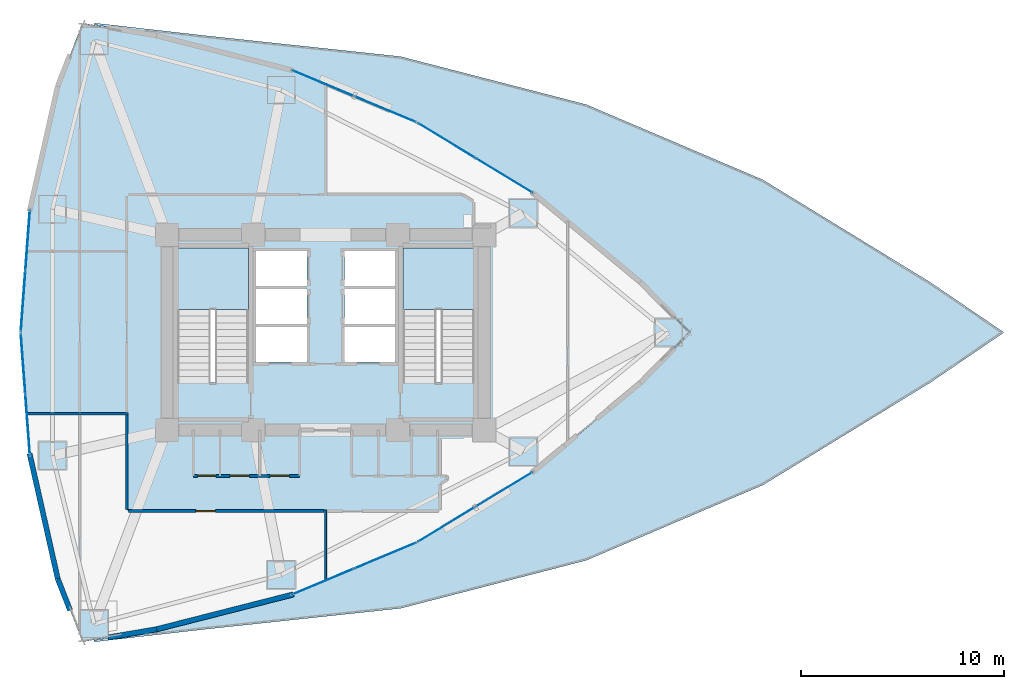
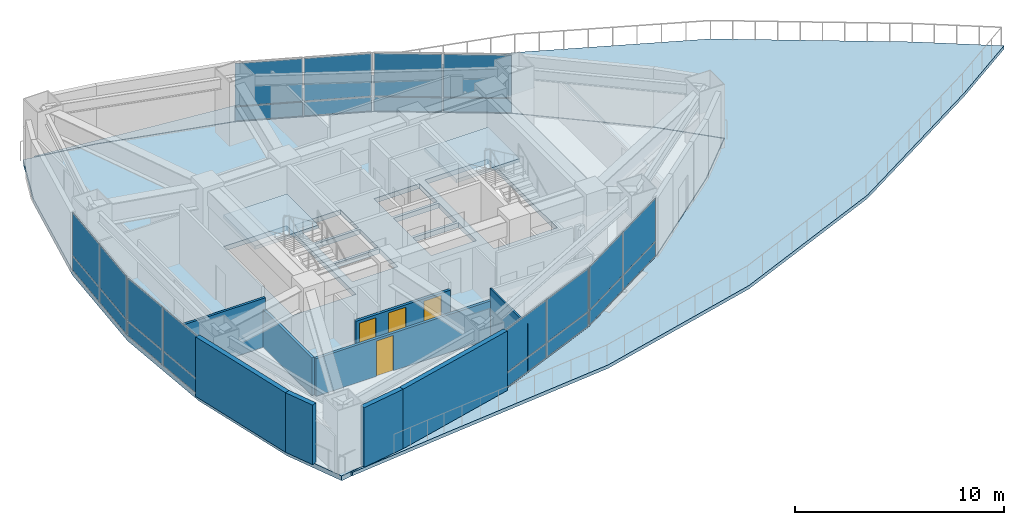
# One storey, part 13 of 19: 24 plates, 9 walls, 4 doors, 4 slabs, 4 openings, 8 elements without a shape of their own.
"""IFC4 building model written with IfcOpenShell, lengths in metres."""

from ifc_helpers import new_model, si_unit, direction, frame, frame_2d, origin, origin_2d, place, context, subcontext, project, spatial, polyline, rectangle, outline, extrude, material, layer, layer_set, type_object, element, fill, aggregate, save


model = new_model("IFC4")

# Units and contexts
model_context = context("Model", 3, precision=1e-05, world=origin(), true_north=direction((0.0, 1.0)))
body_context = subcontext(model_context, "Body", "Model", "MODEL_VIEW")
ifc_project = project(units=[si_unit("LENGTHUNIT", "METRE"), si_unit("AREAUNIT", "SQUARE_METRE"), si_unit("VOLUMEUNIT", "CUBIC_METRE"), si_unit("PLANEANGLEUNIT", "RADIAN"), si_unit("MASSUNIT", "GRAM", prefix="KILO")], contexts=[model_context])

# Site, building, storey
site_placement = place(None, origin())
site = spatial("IfcSite", under=ifc_project, at=site_placement, CompositionType="ELEMENT")
building_placement = place(site_placement, origin())
building = spatial("IfcBuilding", under=site, at=building_placement, Name="Menara Vayukalpa", CompositionType="ELEMENT")
storey_placement = place(building_placement, frame((0.0, 0.0, 68.52001953125)))
storey = spatial("IfcBuildingStorey", under=building, at=storey_placement, Name="L16", CompositionType="ELEMENT", Elevation=68.52001953125)

# Curtain wall, plates
ifc_material_1 = material(Name="Anodised Terracotta Aluminium Alloy 6063-T6", Category="masonry")
ifc_layer_1 = layer(ifc_material_1, 0.1650390625)
ifc_layer_set_1 = layer_set([ifc_layer_1], Name="Anodised Terracotta Aluminium Alloy 6063-T6")
curtain_wall_type = type_object("IfcCurtainWallType", Name="CW-CW2", PredefinedType="USERDEFINED", material=ifc_layer_set_1)
curtain_wall_1_placement = place(storey_placement, origin())
curtain_wall_1 = element("IfcCurtainWall", 1, at=curtain_wall_1_placement, inside=storey, type_object=curtain_wall_type, Name="L16 Low Rise Terracotta Ribbon Curtain Wall CW2 04", ObjectType="UNITISED", PredefinedType="USERDEFINED")
ifc_material_2 = material(Name="Low-E Double Glazing", Category="glass")
ifc_layer_2 = layer(ifc_material_2, 0.031982421875)
ifc_layer_set_2 = layer_set([ifc_layer_2], Name="Low-E Double Glazing")
plate_type = type_object("IfcPlateType", Name="CWP-CW2", PredefinedType="CURTAIN_PANEL", material=ifc_layer_set_2)
plate_1_placement = place(storey_placement, frame((34.371826171875, 29.721435546875, 0.06494140625), z_axis=(0.0, 0.0, 1.0), x_axis=(-0.854663727945, 0.519181964377, 0.0)))
plate_1 = element("IfcPlate", 2, at=plate_1_placement, type_object=plate_type, Name="CW2 panel 1.1", PredefinedType="CURTAIN_PANEL", context=body_context, shape_type="SweptSolid", body=[
    extrude(rectangle(XDim=3.24267578125, YDim=0.031982421875, at=origin_2d()), origin(), (0.0, 0.0, 1.0), 0.802490234375),
])
plate_2_placement = place(storey_placement, frame((34.371826171875, 29.721435546875, 0.9326171875), z_axis=(0.0, 0.0, 1.0), x_axis=(-0.854663727945, 0.519181964377, 0.0)))
plate_2 = element("IfcPlate", 3, at=plate_2_placement, type_object=plate_type, Name="CW2 panel 1.2", PredefinedType="CURTAIN_PANEL", context=body_context, shape_type="SweptSolid", body=[
    extrude(rectangle(XDim=3.24267578125, YDim=0.031982421875, at=origin_2d()), origin(), (0.0, 0.0, 1.0), 2.472412109375),
])
plate_3_placement = place(storey_placement, frame((31.54052734375, 31.44140625, 0.06494140625), z_axis=(0.0, 0.0, 1.0), x_axis=(-0.854663727945, 0.519181964377, 0.0)))
plate_3 = element("IfcPlate", 4, at=plate_3_placement, type_object=plate_type, Name="CW2 panel 2.1", PredefinedType="CURTAIN_PANEL", context=body_context, shape_type="SweptSolid", body=[
    extrude(rectangle(XDim=3.24267578125, YDim=0.031982421875, at=origin_2d()), origin(), (0.0, 0.0, 1.0), 0.802490234375),
])
plate_4_placement = place(storey_placement, frame((31.54052734375, 31.44140625, 0.9326171875), z_axis=(0.0, 0.0, 1.0), x_axis=(-0.854663727945, 0.519181964377, 0.0)))
plate_4 = element("IfcPlate", 5, at=plate_4_placement, type_object=plate_type, Name="CW2 panel 2.2", PredefinedType="CURTAIN_PANEL", context=body_context, shape_type="SweptSolid", body=[
    extrude(rectangle(XDim=3.24267578125, YDim=0.031982421875, at=origin_2d()), origin(), (0.0, 0.0, 1.0), 2.472412109375),
])
aggregate(curtain_wall_1, [plate_1, plate_2, plate_3, plate_4])

curtain_wall_2_placement = place(storey_placement, origin())
curtain_wall_2 = element("IfcCurtainWall", 6, at=curtain_wall_2_placement, inside=storey, type_object=curtain_wall_type, Name="L16 Low Rise Terracotta Ribbon Curtain Wall CW2 05", ObjectType="UNITISED", PredefinedType="USERDEFINED")
plate_5_placement = place(storey_placement, frame((28.534912109375, 32.97216796875, 0.06494140625), z_axis=(0.0, 0.0, 1.0), x_axis=(-0.922542658101, 0.385895120445, 0.0)))
plate_5 = element("IfcPlate", 7, at=plate_5_placement, type_object=plate_type, Name="CW2 panel 1.1", PredefinedType="CURTAIN_PANEL", context=body_context, shape_type="SweptSolid", body=[
    extrude(rectangle(XDim=3.242431640625, YDim=0.031982421875, at=origin_2d()), origin(), (0.0, 0.0, 1.0), 0.802490234375),
])
plate_6_placement = place(storey_placement, frame((28.534912109375, 32.97216796875, 0.9326171875), z_axis=(0.0, 0.0, 1.0), x_axis=(-0.922542658101, 0.385895120445, 0.0)))
plate_6 = element("IfcPlate", 8, at=plate_6_placement, type_object=plate_type, Name="CW2 panel 1.2", PredefinedType="CURTAIN_PANEL", context=body_context, shape_type="SweptSolid", body=[
    extrude(rectangle(XDim=3.242431640625, YDim=0.031982421875, at=origin_2d()), origin(), (0.0, 0.0, 1.0), 2.472412109375),
])
plate_7_placement = place(storey_placement, frame((25.478759765625, 34.250244140625, 0.06494140625), z_axis=(0.0, 0.0, 1.0), x_axis=(-0.922542658101, 0.385895120445, 0.0)))
plate_7 = element("IfcPlate", 9, at=plate_7_placement, type_object=plate_type, Name="CW2 panel 2.1", PredefinedType="CURTAIN_PANEL", context=body_context, shape_type="SweptSolid", body=[
    extrude(rectangle(XDim=3.242431640625, YDim=0.031982421875, at=origin_2d()), origin(), (0.0, 0.0, 1.0), 0.802490234375),
])
plate_8_placement = place(storey_placement, frame((25.478759765625, 34.250244140625, 0.9326171875), z_axis=(0.0, 0.0, 1.0), x_axis=(-0.922542658101, 0.385895120445, 0.0)))
plate_8 = element("IfcPlate", 10, at=plate_8_placement, type_object=plate_type, Name="CW2 panel 2.2", PredefinedType="CURTAIN_PANEL", context=body_context, shape_type="SweptSolid", body=[
    extrude(rectangle(XDim=3.242431640625, YDim=0.031982421875, at=origin_2d()), origin(), (0.0, 0.0, 1.0), 2.472412109375),
])
aggregate(curtain_wall_2, [plate_5, plate_6, plate_7, plate_8])

curtain_wall_3_placement = place(storey_placement, origin())
curtain_wall_3 = element("IfcCurtainWall", 11, at=curtain_wall_3_placement, inside=storey, type_object=curtain_wall_type, Name="L16 Low Rise Terracotta Ribbon Curtain Wall CW2 10", ObjectType="UNITISED", PredefinedType="USERDEFINED")
plate_9_placement = place(storey_placement, frame((10.94921875, 26.52734375, 0.06494140625), z_axis=(0.0, 0.0, 1.0), x_axis=(-0.074794857576, -0.997198941676, 0.0)))
plate_9 = element("IfcPlate", 12, at=plate_9_placement, type_object=plate_type, Name="CW2 panel 1.1", PredefinedType="CURTAIN_PANEL", context=body_context, shape_type="SweptSolid", body=[
    extrude(rectangle(XDim=2.933349609375, YDim=0.031982421875, at=origin_2d()), origin(), (0.0, 0.0, 1.0), 0.802490234375),
])
plate_10_placement = place(storey_placement, frame((10.94921875, 26.52734375, 0.9326171875), z_axis=(0.0, 0.0, 1.0), x_axis=(-0.074794857576, -0.997198941676, 0.0)))
plate_10 = element("IfcPlate", 13, at=plate_10_placement, type_object=plate_type, Name="CW2 panel 1.2", PredefinedType="CURTAIN_PANEL", context=body_context, shape_type="SweptSolid", body=[
    extrude(rectangle(XDim=2.933349609375, YDim=0.031982421875, at=origin_2d()), origin(), (0.0, 0.0, 1.0), 2.472412109375),
])
plate_11_placement = place(storey_placement, frame((10.724609375, 23.532470703125, 0.06494140625), z_axis=(0.0, 0.0, 1.0), x_axis=(-0.074794857576, -0.997198941676, 0.0)))
plate_11 = element("IfcPlate", 14, at=plate_11_placement, type_object=plate_type, Name="CW2 panel 2.1", PredefinedType="CURTAIN_PANEL", context=body_context, shape_type="SweptSolid", body=[
    extrude(rectangle(XDim=2.933349609375, YDim=0.031982421875, at=origin_2d()), origin(), (0.0, 0.0, 1.0), 0.802490234375),
])
plate_12_placement = place(storey_placement, frame((10.724609375, 23.532470703125, 0.9326171875), z_axis=(0.0, 0.0, 1.0), x_axis=(-0.074794857576, -0.997198941676, 0.0)))
plate_12 = element("IfcPlate", 15, at=plate_12_placement, type_object=plate_type, Name="CW2 panel 2.2", PredefinedType="CURTAIN_PANEL", context=body_context, shape_type="SweptSolid", body=[
    extrude(rectangle(XDim=2.933349609375, YDim=0.031982421875, at=origin_2d()), origin(), (0.0, 0.0, 1.0), 2.472412109375),
])
aggregate(curtain_wall_3, [plate_9, plate_10, plate_11, plate_12])

curtain_wall_4_placement = place(storey_placement, origin())
curtain_wall_4 = element("IfcCurtainWall", 16, at=curtain_wall_4_placement, inside=storey, type_object=curtain_wall_type, Name="L16 Low Rise Terracotta Ribbon Curtain Wall CW2 11", ObjectType="UNITISED", PredefinedType="USERDEFINED")
plate_13_placement = place(storey_placement, frame((10.724609375, 20.467529296875, 0.06494140625), z_axis=(0.0, 0.0, 1.0), x_axis=(0.074794857576, -0.997198941676, 0.0)))
plate_13 = element("IfcPlate", 17, at=plate_13_placement, type_object=plate_type, Name="CW2 panel 1.1", PredefinedType="CURTAIN_PANEL", context=body_context, shape_type="SweptSolid", body=[
    extrude(rectangle(XDim=2.933349609375, YDim=0.031982421875, at=origin_2d()), origin(), (0.0, 0.0, 1.0), 0.802490234375),
])
plate_14_placement = place(storey_placement, frame((10.724609375, 20.467529296875, 0.9326171875), z_axis=(0.0, 0.0, 1.0), x_axis=(0.074794857576, -0.997198941676, 0.0)))
plate_14 = element("IfcPlate", 18, at=plate_14_placement, type_object=plate_type, Name="CW2 panel 1.2", PredefinedType="CURTAIN_PANEL", context=body_context, shape_type="SweptSolid", body=[
    extrude(rectangle(XDim=2.933349609375, YDim=0.031982421875, at=origin_2d()), origin(), (0.0, 0.0, 1.0), 2.472412109375),
])
plate_15_placement = place(storey_placement, frame((10.94921875, 17.47265625, 0.06494140625), z_axis=(0.0, 0.0, 1.0), x_axis=(0.074794857576, -0.997198941676, 0.0)))
plate_15 = element("IfcPlate", 19, at=plate_15_placement, type_object=plate_type, Name="CW2 panel 2.1", PredefinedType="CURTAIN_PANEL", context=body_context, shape_type="SweptSolid", body=[
    extrude(rectangle(XDim=2.933349609375, YDim=0.031982421875, at=origin_2d()), origin(), (0.0, 0.0, 1.0), 0.802490234375),
])
plate_16_placement = place(storey_placement, frame((10.94921875, 17.47265625, 0.9326171875), z_axis=(0.0, 0.0, 1.0), x_axis=(0.074794857576, -0.997198941676, 0.0)))
plate_16 = element("IfcPlate", 20, at=plate_16_placement, type_object=plate_type, Name="CW2 panel 2.2", PredefinedType="CURTAIN_PANEL", context=body_context, shape_type="SweptSolid", body=[
    extrude(rectangle(XDim=2.933349609375, YDim=0.031982421875, at=origin_2d()), origin(), (0.0, 0.0, 1.0), 2.472412109375),
])
aggregate(curtain_wall_4, [plate_13, plate_14, plate_15, plate_16])

curtain_wall_5_placement = place(storey_placement, origin())
curtain_wall_5 = element("IfcCurtainWall", 21, at=curtain_wall_5_placement, inside=storey, type_object=curtain_wall_type, Name="L16 Low Rise Terracotta Ribbon Curtain Wall CW2 16", ObjectType="UNITISED", PredefinedType="USERDEFINED")
plate_17_placement = place(storey_placement, frame((25.478759765625, 9.749755859375, 0.06494140625), z_axis=(0.0, 0.0, 1.0), x_axis=(0.922542658101, 0.385895120445, 0.0)))
plate_17 = element("IfcPlate", 22, at=plate_17_placement, type_object=plate_type, Name="CW2 panel 1.1", PredefinedType="CURTAIN_PANEL", context=body_context, shape_type="SweptSolid", body=[
    extrude(rectangle(XDim=3.242431640625, YDim=0.031982421875, at=origin_2d()), origin(), (0.0, 0.0, 1.0), 0.802490234375),
])
plate_18_placement = place(storey_placement, frame((25.478759765625, 9.749755859375, 0.9326171875), z_axis=(0.0, 0.0, 1.0), x_axis=(0.922542658101, 0.385895120445, 0.0)))
plate_18 = element("IfcPlate", 23, at=plate_18_placement, type_object=plate_type, Name="CW2 panel 1.2", PredefinedType="CURTAIN_PANEL", context=body_context, shape_type="SweptSolid", body=[
    extrude(rectangle(XDim=3.242431640625, YDim=0.031982421875, at=origin_2d()), origin(), (0.0, 0.0, 1.0), 2.472412109375),
])
plate_19_placement = place(storey_placement, frame((28.534912109375, 11.02783203125, 0.06494140625), z_axis=(0.0, 0.0, 1.0), x_axis=(0.922542658101, 0.385895120445, 0.0)))
plate_19 = element("IfcPlate", 24, at=plate_19_placement, type_object=plate_type, Name="CW2 panel 2.1", PredefinedType="CURTAIN_PANEL", context=body_context, shape_type="SweptSolid", body=[
    extrude(rectangle(XDim=3.242431640625, YDim=0.031982421875, at=origin_2d()), origin(), (0.0, 0.0, 1.0), 0.802490234375),
])
plate_20_placement = place(storey_placement, frame((28.534912109375, 11.02783203125, 0.9326171875), z_axis=(0.0, 0.0, 1.0), x_axis=(0.922542658101, 0.385895120445, 0.0)))
plate_20 = element("IfcPlate", 25, at=plate_20_placement, type_object=plate_type, Name="CW2 panel 2.2", PredefinedType="CURTAIN_PANEL", context=body_context, shape_type="SweptSolid", body=[
    extrude(rectangle(XDim=3.242431640625, YDim=0.031982421875, at=origin_2d()), origin(), (0.0, 0.0, 1.0), 2.472412109375),
])
aggregate(curtain_wall_5, [plate_17, plate_18, plate_19, plate_20])

curtain_wall_6_placement = place(storey_placement, origin())
curtain_wall_6 = element("IfcCurtainWall", 26, at=curtain_wall_6_placement, inside=storey, type_object=curtain_wall_type, Name="L16 Low Rise Terracotta Ribbon Curtain Wall CW2 17", ObjectType="UNITISED", PredefinedType="USERDEFINED")
plate_21_placement = place(storey_placement, frame((31.54052734375, 12.55859375, 0.06494140625), z_axis=(0.0, 0.0, 1.0), x_axis=(0.854663727945, 0.519181964377, 0.0)))
plate_21 = element("IfcPlate", 27, at=plate_21_placement, type_object=plate_type, Name="CW2 panel 1.1", PredefinedType="CURTAIN_PANEL", context=body_context, shape_type="SweptSolid", body=[
    extrude(rectangle(XDim=3.24267578125, YDim=0.031982421875, at=origin_2d()), origin(), (0.0, 0.0, 1.0), 0.802490234375),
])
plate_22_placement = place(storey_placement, frame((31.54052734375, 12.55859375, 0.9326171875), z_axis=(0.0, 0.0, 1.0), x_axis=(0.854663727945, 0.519181964377, 0.0)))
plate_22 = element("IfcPlate", 28, at=plate_22_placement, type_object=plate_type, Name="CW2 panel 1.2", PredefinedType="CURTAIN_PANEL", context=body_context, shape_type="SweptSolid", body=[
    extrude(rectangle(XDim=3.24267578125, YDim=0.031982421875, at=origin_2d()), origin(), (0.0, 0.0, 1.0), 2.472412109375),
])
plate_23_placement = place(storey_placement, frame((34.371826171875, 14.278564453125, 0.06494140625), z_axis=(0.0, 0.0, 1.0), x_axis=(0.854663727945, 0.519181964377, 0.0)))
plate_23 = element("IfcPlate", 29, at=plate_23_placement, type_object=plate_type, Name="CW2 panel 2.1", PredefinedType="CURTAIN_PANEL", context=body_context, shape_type="SweptSolid", body=[
    extrude(rectangle(XDim=3.24267578125, YDim=0.031982421875, at=origin_2d()), origin(), (0.0, 0.0, 1.0), 0.802490234375),
])
plate_24_placement = place(storey_placement, frame((34.371826171875, 14.278564453125, 0.9326171875), z_axis=(0.0, 0.0, 1.0), x_axis=(0.854663727945, 0.519181964377, 0.0)))
plate_24 = element("IfcPlate", 30, at=plate_24_placement, type_object=plate_type, Name="CW2 panel 2.2", PredefinedType="CURTAIN_PANEL", context=body_context, shape_type="SweptSolid", body=[
    extrude(rectangle(XDim=3.24267578125, YDim=0.031982421875, at=origin_2d()), origin(), (0.0, 0.0, 1.0), 2.472412109375),
])
aggregate(curtain_wall_6, [plate_21, plate_22, plate_23, plate_24])

# Slab
ifc_material_3 = material(Name="Concrete C40/50", Category="concrete")
ifc_layer_3 = layer(ifc_material_3, 0.280029296875)
ifc_layer_set_3 = layer_set([ifc_layer_3], Name="Concrete C40/50")
slab_type_1 = type_object("IfcSlabType", Name="SLB-FL280", PredefinedType="FLOOR", material=ifc_layer_set_3)
slab_1_placement = place(storey_placement, frame((0.0, 0.0, -0.280029296875)))
element("IfcSlab", 31, at=slab_1_placement, inside=storey, type_object=slab_type_1, Name="L16 Structural Floor Slab", PredefinedType="FLOOR", context=body_context, shape_type="SweptSolid", body=[
    extrude(outline(polyline([(41.084716796875, 19.52490234375), (43.514892578125, 22.0), (41.084716796875, 24.47509765625), (35.817138671875, 28.843505859375), (30.09521484375, 32.3193359375), (23.918701171875, 34.903076171875), (17.28759765625, 36.59423828125), (13.642578125, 37.212890625), (12.427490234375, 34.119140625), (11.064208984375, 28.0595703125), (10.609619140625, 22.0), (11.064208984375, 15.9404296875), (12.427490234375, 9.880859375), (13.642578125, 6.787109375), (17.28759765625, 7.40576171875), (23.918701171875, 9.096923828125), (30.09521484375, 11.6806640625), (35.817138671875, 15.156494140625), (41.084716796875, 19.52490234375)]), holes=[polyline([(21.800048828125, 19.550048828125), (21.800048828125, 26.14990234375), (18.300048828125, 26.14990234375), (18.300048828125, 19.550048828125), (21.800048828125, 19.550048828125)]), polyline([(32.89990234375, 19.550048828125), (32.89990234375, 26.14990234375), (29.39990234375, 26.14990234375), (29.39990234375, 19.550048828125), (32.89990234375, 19.550048828125)]), polyline([(22.179931640625, 20.550048828125), (24.679931640625, 20.550048828125), (24.679931640625, 22.27001953125), (22.179931640625, 22.27001953125), (22.179931640625, 20.550048828125)]), polyline([(26.52001953125, 20.550048828125), (29.02001953125, 20.550048828125), (29.02001953125, 22.27001953125), (26.52001953125, 22.27001953125), (26.52001953125, 20.550048828125)]), polyline([(22.179931640625, 22.419921875), (24.679931640625, 22.419921875), (24.679931640625, 24.139892578125), (22.179931640625, 24.139892578125), (22.179931640625, 22.419921875)]), polyline([(22.179931640625, 24.2900390625), (24.679931640625, 24.2900390625), (24.679931640625, 26.010009765625), (22.179931640625, 26.010009765625), (22.179931640625, 24.2900390625)]), polyline([(26.52001953125, 24.2900390625), (29.02001953125, 24.2900390625), (29.02001953125, 26.010009765625), (26.52001953125, 26.010009765625), (26.52001953125, 24.2900390625)]), polyline([(26.52001953125, 22.419921875), (29.02001953125, 22.419921875), (29.02001953125, 24.139892578125), (26.52001953125, 24.139892578125), (26.52001953125, 22.419921875)])]), origin(), (0.0, 0.0, 1.0), 0.280029296875),
])

# Stair, slab
ifc_material_4 = material(Name="Precast Concrete C40/50", Category="concrete")
stair_type = type_object("IfcStairType", Name="STR-T04", PredefinedType="DOUBLE_RETURN_STAIR", material=ifc_material_4)
stair_1_placement = place(storey_placement, origin())
stair_1 = element("IfcStair", 32, at=stair_1_placement, inside=storey, type_object=stair_type, Name="L16 Core Exit Stair ST-1", PredefinedType="DOUBLE_RETURN_STAIR")
ifc_material_5 = material(Name="Precast Concrete C40/50", Category="concrete")
ifc_layer_4 = layer(ifc_material_5, 0.199951171875)
ifc_layer_set_4 = layer_set([ifc_layer_4], Name="Precast Concrete C40/50")
slab_type_2 = type_object("IfcSlabType", Name="SLB-LND200", PredefinedType="LANDING", material=ifc_layer_set_4)
slab_2_placement = place(storey_placement, frame((0.0, 0.0, 1.659912109375)))
slab_2 = element("IfcSlab", 33, at=slab_2_placement, type_object=slab_type_2, Name="ST-1 landing 1", PredefinedType="LANDING", context=body_context, shape_type="SweptSolid", body=[
    extrude(outline(polyline([(21.800048828125, 23.1298828125), (21.800048828125, 26.14990234375), (18.300048828125, 26.14990234375), (18.300048828125, 23.1298828125), (21.800048828125, 23.1298828125)])), origin(), (0.0, 0.0, 1.0), 0.199951171875),
])
aggregate(stair_1, [slab_2])

stair_2_placement = place(storey_placement, origin())
stair_2 = element("IfcStair", 34, at=stair_2_placement, inside=storey, type_object=stair_type, Name="L16 Core Exit Stair ST-2", PredefinedType="DOUBLE_RETURN_STAIR")
slab_3_placement = place(storey_placement, frame((0.0, 0.0, 1.659912109375)))
slab_3 = element("IfcSlab", 35, at=slab_3_placement, type_object=slab_type_2, Name="ST-2 landing 1", PredefinedType="LANDING", context=body_context, shape_type="SweptSolid", body=[
    extrude(outline(polyline([(32.89990234375, 23.1298828125), (32.89990234375, 26.14990234375), (29.39990234375, 26.14990234375), (29.39990234375, 23.1298828125), (32.89990234375, 23.1298828125)])), origin(), (0.0, 0.0, 1.0), 0.199951171875),
])
aggregate(stair_2, [slab_3])

# Slab
ifc_material_6 = material(Name="Concrete C40/50", Category="concrete")
ifc_layer_5 = layer(ifc_material_6, 0.199951171875)
ifc_layer_set_5 = layer_set([ifc_layer_5], Name="Concrete C40/50")
slab_type_3 = type_object("IfcSlabType", Name="SLB-TR200", PredefinedType="FLOOR", material=ifc_layer_set_5)
slab_4_placement = place(storey_placement, frame((0.0, 0.0, -0.199951171875)))
element("IfcSlab", 36, at=slab_4_placement, inside=storey, type_object=slab_type_3, Name="L16 Low Rise Sky Garden Terrace", PredefinedType="FLOOR", context=body_context, shape_type="SweptSolid", body=[
    extrude(outline(polyline([(14.24609375, 37.212890625), (19.701904296875, 36.59423828125), (29.2880859375, 35.56787109375), (38.420166015625, 33.2060546875), (47.09765625, 29.50830078125), (55.320556640625, 24.47509765625), (58.957763671875, 22.0), (55.320556640625, 19.52490234375), (47.09765625, 14.49169921875), (38.420166015625, 10.7939453125), (29.2880859375, 8.43212890625), (19.701904296875, 7.40576171875), (14.24609375, 6.787109375), (14.202392578125, 6.86181640625), (17.291015625, 7.385986328125), (17.29248046875, 7.386474609375), (23.923583984375, 9.07763671875), (23.92626953125, 9.07861328125), (30.102783203125, 11.662109375), (30.104248046875, 11.662841796875), (30.10546875, 11.66357421875), (35.82763671875, 15.139404296875), (35.830078125, 15.14111328125), (41.09765625, 19.509521484375), (41.09912109375, 19.510986328125), (43.529052734375, 21.986083984375), (43.530517578125, 21.9873046875), (43.531494140625, 21.989013671875), (43.532470703125, 21.99072265625), (43.533203125, 21.992431640625), (43.533935546875, 21.994384765625), (43.534423828125, 21.99609375), (43.53466796875, 21.998046875), (43.534912109375, 22.0), (43.53466796875, 22.001953125), (43.534423828125, 22.00390625), (43.533935546875, 22.005615234375), (43.533203125, 22.007568359375), (43.532470703125, 22.00927734375), (43.531494140625, 22.010986328125), (43.530517578125, 22.0126953125), (43.529052734375, 22.013916015625), (41.09912109375, 24.489013671875), (41.09765625, 24.490478515625), (35.830078125, 28.85888671875), (35.82763671875, 28.860595703125), (30.10546875, 32.33642578125), (30.104248046875, 32.337158203125), (30.102783203125, 32.337890625), (23.92626953125, 34.92138671875), (23.923583984375, 34.92236328125), (17.29248046875, 36.613525390625), (17.291015625, 36.614013671875), (14.202392578125, 37.13818359375), (14.24609375, 37.212890625)])), origin(), (0.0, 0.0, 1.0), 0.199951171875),
])

# Walls
ifc_material_7 = material(Name="Insulated Precast Concrete C40/50", Category="concrete")
ifc_layer_6 = layer(ifc_material_7, 0.260009765625)
ifc_layer_set_6 = layer_set([ifc_layer_6], Name="Insulated Precast Concrete C40/50")
wall_type_1 = type_object("IfcWallType", Name="WAL-EXT260", PredefinedType="PARTITIONING", material=ifc_layer_set_6)
wall_1_placement = place(storey_placement, frame((12.427490234375, 9.880859375, 0.0), z_axis=(0.0, 0.0, 1.0), x_axis=(-0.219502085231, 0.975612030768, 0.0)))
element("IfcWall", 37, at=wall_1_placement, inside=storey, type_object=wall_type_1, Name="L16 Perimeter Terracotta Pier Wall 12", PredefinedType="PARTITIONING", context=body_context, shape_type="SweptSolid", body=[
    extrude(rectangle(XDim=6.32080078125, YDim=0.260009765625, at=frame_2d((3.160400390625, 0.0))), origin(), (0.0, 0.0, 1.0), 3.469970703125),
])
wall_2_placement = place(storey_placement, frame((13.033203125, 8.339111328125, 0.0), z_axis=(0.0, 0.0, 1.0), x_axis=(-0.365666052462, 0.930746119023, 0.0)))
element("IfcWall", 38, at=wall_2_placement, inside=storey, type_object=wall_type_1, Name="L16 Perimeter Terracotta Pier Wall 13", PredefinedType="PARTITIONING", context=body_context, shape_type="SweptSolid", body=[
    extrude(rectangle(XDim=1.656494140625, YDim=0.260009765625, at=frame_2d((0.828125, 0.0))), origin(), (0.0, 0.0, 1.0), 3.469970703125),
])
wall_3_placement = place(storey_placement, frame((17.29345703125, 7.40673828125, 0.0), z_axis=(0.0, 0.0, 1.0), x_axis=(-0.985905469923, -0.167303330437, 0.0)))
element("IfcWall", 39, at=wall_3_placement, inside=storey, type_object=wall_type_1, Name="L16 Perimeter Terracotta Pier Wall 14", PredefinedType="PARTITIONING", context=body_context, shape_type="SweptSolid", body=[
    extrude(rectangle(XDim=2.412109375, YDim=0.260009765625, at=frame_2d((1.2060546875, 0.0))), origin(), (0.0, 0.0, 1.0), 3.469970703125),
])
wall_4_placement = place(storey_placement, frame((24.025146484375, 9.124267578125, 0.0), z_axis=(0.0, 0.0, 1.0), x_axis=(-0.968977974408, -0.247147092057, 0.0)))
element("IfcWall", 40, at=wall_4_placement, inside=storey, type_object=wall_type_1, Name="L16 Perimeter Terracotta Pier Wall 15", PredefinedType="PARTITIONING", context=body_context, shape_type="SweptSolid", body=[
    extrude(rectangle(XDim=6.959228515625, YDim=0.260009765625, at=frame_2d((3.4794921875, 0.0))), origin(), (0.0, 0.0, 1.0), 3.469970703125),
])
ifc_material_8 = material(Name="Glazed Demountable Office Partition", Category="glass")
ifc_layer_7 = layer(ifc_material_8, 0.094970703125)
ifc_layer_set_7 = layer_set([ifc_layer_7], Name="Glazed Demountable Office Partition")
wall_type_2 = type_object("IfcWallType", Name="WAL-PT100", PredefinedType="PARTITIONING", material=ifc_layer_set_7)
wall_5_placement = place(storey_placement, frame((25.60009765625, 9.78955078125, 0.0), z_axis=(0.0, 0.0, 1.0), x_axis=(0.0, 1.0, 0.0)))
element("IfcWall", 41, at=wall_5_placement, inside=storey, type_object=wall_type_2, Name="L16 Interior Partition IW-L16-RDIV02", PredefinedType="PARTITIONING", context=body_context, shape_type="SweptSolid", body=[
    extrude(rectangle(XDim=3.470458984375, YDim=0.094970703125, at=frame_2d((1.7353515625, 0.0))), origin(), (0.0, 0.0, 1.0), 2.85009765625),
])
ifc_material_9 = material(Name="Gypsum Drywall Steel Stud Assembly", Category="steel")
ifc_layer_8 = layer(ifc_material_9, 0.125)
ifc_layer_set_8 = layer_set([ifc_layer_8], Name="Gypsum Drywall Steel Stud Assembly")
wall_type_3 = type_object("IfcWallType", Name="WAL-PT125", PredefinedType="PARTITIONING", material=ifc_layer_set_8)
wall_6_placement = place(storey_placement, frame((10.899658203125, 18.0, 0.0), z_axis=(0.0, 0.0, 1.0), x_axis=(1.0, 0.0, 0.0)))
element("IfcWall", 42, at=wall_6_placement, inside=storey, type_object=wall_type_3, Name="L16 Interior Partition IW-L16-RDIV05", PredefinedType="PARTITIONING", context=body_context, shape_type="SweptSolid", body=[
    extrude(rectangle(XDim=4.970458984375, YDim=0.125, at=frame_2d((2.4853515625, 0.0))), origin(), (0.0, 0.0, 1.0), 2.85009765625),
])

# Wall, openings, doors
ifc_material_10 = material(Name="Gypsum Drywall Acoustic Stud Assembly", Category="masonry")
ifc_layer_9 = layer(ifc_material_10, 0.14501953125)
ifc_layer_set_9 = layer_set([ifc_layer_9], Name="Gypsum Drywall Acoustic Stud Assembly")
wall_type_4 = type_object("IfcWallType", Name="WAL-PT150", PredefinedType="PARTITIONING", material=ifc_layer_set_9)
wall_7_placement = place(storey_placement, frame((19.10009765625, 14.949951171875, 0.0), z_axis=(0.0, 0.0, 1.0), x_axis=(1.0, 0.0, 0.0)))
wall_7 = element("IfcWall", 43, at=wall_7_placement, inside=storey, type_object=wall_type_4, Name="L16 Interior Partition IW-L16-SVCS-W", PredefinedType="PARTITIONING", context=body_context, shape_type="SweptSolid", body=[
    extrude(rectangle(XDim=5.219970703125, YDim=0.14501953125, at=frame_2d((2.60986328125, 0.0))), origin(), (0.0, 0.0, 1.0), 2.199951171875),
])
opening_1_placement = place(wall_7_placement, frame((0.199951171875, 0.0, 0.0)))
opening_1 = element("IfcOpeningElement", 44, at=opening_1_placement, cuts=wall_7, Name="Opening ID7", PredefinedType="OPENING", context=body_context, shape_type="SweptSolid", body=[
    extrude(rectangle(XDim=0.89990234375, YDim=2.02001953125, at=frame_2d((0.449951171875, 1.010009765625))), frame((0.0, 0.08251953125, 0.0), z_axis=(0.0, -1.0, 0.0), x_axis=(1.0, 0.0, 0.0)), (0.0, 0.0, 1.0), 0.1650390625),
])
opening_2_placement = place(wall_7_placement, frame((1.804931640625, 0.0, 0.0)))
opening_2 = element("IfcOpeningElement", 45, at=opening_2_placement, cuts=wall_7, Name="Opening ID5", PredefinedType="OPENING", context=body_context, shape_type="SweptSolid", body=[
    extrude(rectangle(XDim=0.949951171875, YDim=2.06005859375, at=frame_2d((0.47509765625, 1.030029296875))), frame((0.0, 0.08251953125, 0.0), z_axis=(0.0, -1.0, 0.0), x_axis=(1.0, 0.0, 0.0)), (0.0, 0.0, 1.0), 0.1650390625),
])
opening_3_placement = place(wall_7_placement, frame((3.764892578125, 0.0, 0.0)))
opening_3 = element("IfcOpeningElement", 46, at=opening_3_placement, cuts=wall_7, Name="Opening ID5", PredefinedType="OPENING", context=body_context, shape_type="SweptSolid", body=[
    extrude(rectangle(XDim=0.949951171875, YDim=2.06005859375, at=frame_2d((0.47509765625, 1.030029296875))), frame((0.0, 0.08251953125, 0.0), z_axis=(0.0, -1.0, 0.0), x_axis=(1.0, 0.0, 0.0)), (0.0, 0.0, 1.0), 0.1650390625),
])
ifc_material_11 = material(Name="Acoustic Hardwood Veneer Timber Door", Category="wood")
door_type_1 = type_object("IfcDoorType", Name="DR-INT95", OperationType="NOTDEFINED", PredefinedType="DOOR", material=ifc_material_11)
door_1_placement = place(opening_2_placement, origin())
door_1 = element("IfcDoor", 47, at=door_1_placement, inside=storey, type_object=door_type_1, Name="L16 Interior Door DR-L16-AWC", OperationType="SINGLE_SWING_RIGHT", OverallHeight=2.06005859375, OverallWidth=0.949951171875, PredefinedType="DOOR", context=body_context, shape_type="SweptSolid", body=[
    extrude(rectangle(XDim=0.949951171875, YDim=2.06005859375, at=frame_2d((0.47509765625, 1.030029296875))), frame((0.0, 0.02490234375, 0.0), z_axis=(0.0, -1.0, 0.0), x_axis=(1.0, 0.0, 0.0)), (0.0, 0.0, 1.0), 0.050048828125),
])
fill(opening_2, door_1)
door_2_placement = place(opening_3_placement, origin())
door_2 = element("IfcDoor", 48, at=door_2_placement, inside=storey, type_object=door_type_1, Name="L16 Interior Door DR-L16-SWC", OperationType="SINGLE_SWING_LEFT", OverallHeight=2.06005859375, OverallWidth=0.949951171875, PredefinedType="DOOR", context=body_context, shape_type="SweptSolid", body=[
    extrude(rectangle(XDim=0.949951171875, YDim=2.06005859375, at=frame_2d((0.47509765625, 1.030029296875))), frame((0.0, 0.02490234375, 0.0), z_axis=(0.0, -1.0, 0.0), x_axis=(1.0, 0.0, 0.0)), (0.0, 0.0, 1.0), 0.050048828125),
])
fill(opening_3, door_2)
ifc_material_12 = material(Name="Powder-Coated Steel Riser Access Door", Category="steel")
door_type_2 = type_object("IfcDoorType", Name="DR-RISER", OperationType="NOTDEFINED", PredefinedType="DOOR", material=ifc_material_12)
door_3_placement = place(opening_1_placement, origin())
door_3 = element("IfcDoor", 49, at=door_3_placement, inside=storey, type_object=door_type_2, Name="L16 Interior Door DR-L16-ELR", OperationType="SINGLE_SWING_LEFT", OverallHeight=2.02001953125, OverallWidth=0.89990234375, PredefinedType="DOOR", context=body_context, shape_type="SweptSolid", body=[
    extrude(rectangle(XDim=0.89990234375, YDim=2.02001953125, at=frame_2d((0.449951171875, 1.010009765625))), frame((0.0, 0.02490234375, 0.0), z_axis=(0.0, -1.0, 0.0), x_axis=(1.0, 0.0, 0.0)), (0.0, 0.0, 1.0), 0.050048828125),
])
fill(opening_1, door_3)

# Wall
wall_8_placement = place(storey_placement, frame((15.820068359375, 17.929931640625, 0.0), z_axis=(0.0, 0.0, 1.0), x_axis=(0.0, -1.0, 0.0)))
element("IfcWall", 50, at=wall_8_placement, inside=storey, type_object=wall_type_4, Name="L16 Interior Partition IW-L16-CRM03-1", PredefinedType="PARTITIONING", context=body_context, shape_type="SweptSolid", body=[
    extrude(rectangle(XDim=4.639892578125, YDim=0.14501953125, at=frame_2d((2.31982421875, 0.0))), origin(), (0.0, 0.0, 1.0), 2.199951171875),
])

# Wall, opening, door
wall_9_placement = place(storey_placement, frame((15.89990234375, 13.2099609375, 0.0), z_axis=(0.0, 0.0, 1.0), x_axis=(1.0, 0.0, 0.0)))
wall_9 = element("IfcWall", 51, at=wall_9_placement, inside=storey, type_object=wall_type_4, Name="L16 Interior Partition IW-L16-CRM03-2", PredefinedType="PARTITIONING", context=body_context, shape_type="SweptSolid", body=[
    extrude(rectangle(XDim=9.630126953125, YDim=0.14501953125, at=frame_2d((4.81494140625, 0.0))), origin(), (0.0, 0.0, 1.0), 2.199951171875),
])
opening_4_placement = place(wall_9_placement, frame((3.324951171875, 0.0, 0.0)))
opening_4 = element("IfcOpeningElement", 52, at=opening_4_placement, cuts=wall_9, Name="Opening ID5", PredefinedType="OPENING", context=body_context, shape_type="SweptSolid", body=[
    extrude(rectangle(XDim=0.949951171875, YDim=2.06005859375, at=frame_2d((0.47509765625, 1.030029296875))), frame((0.0, 0.08251953125, 0.0), z_axis=(0.0, -1.0, 0.0), x_axis=(1.0, 0.0, 0.0)), (0.0, 0.0, 1.0), 0.1650390625),
])
door_4_placement = place(opening_4_placement, origin())
door_4 = element("IfcDoor", 53, at=door_4_placement, inside=storey, type_object=door_type_1, Name="L16 Interior Door DR-L16-RM03", OperationType="SINGLE_SWING_LEFT", OverallHeight=2.06005859375, OverallWidth=0.949951171875, PredefinedType="DOOR", context=body_context, shape_type="SweptSolid", body=[
    extrude(rectangle(XDim=0.949951171875, YDim=2.06005859375, at=frame_2d((0.47509765625, 1.030029296875))), frame((0.0, 0.02490234375, 0.0), z_axis=(0.0, -1.0, 0.0), x_axis=(1.0, 0.0, 0.0)), (0.0, 0.0, 1.0), 0.050048828125),
])
fill(opening_4, door_4)

save(model, "model.ifc")
